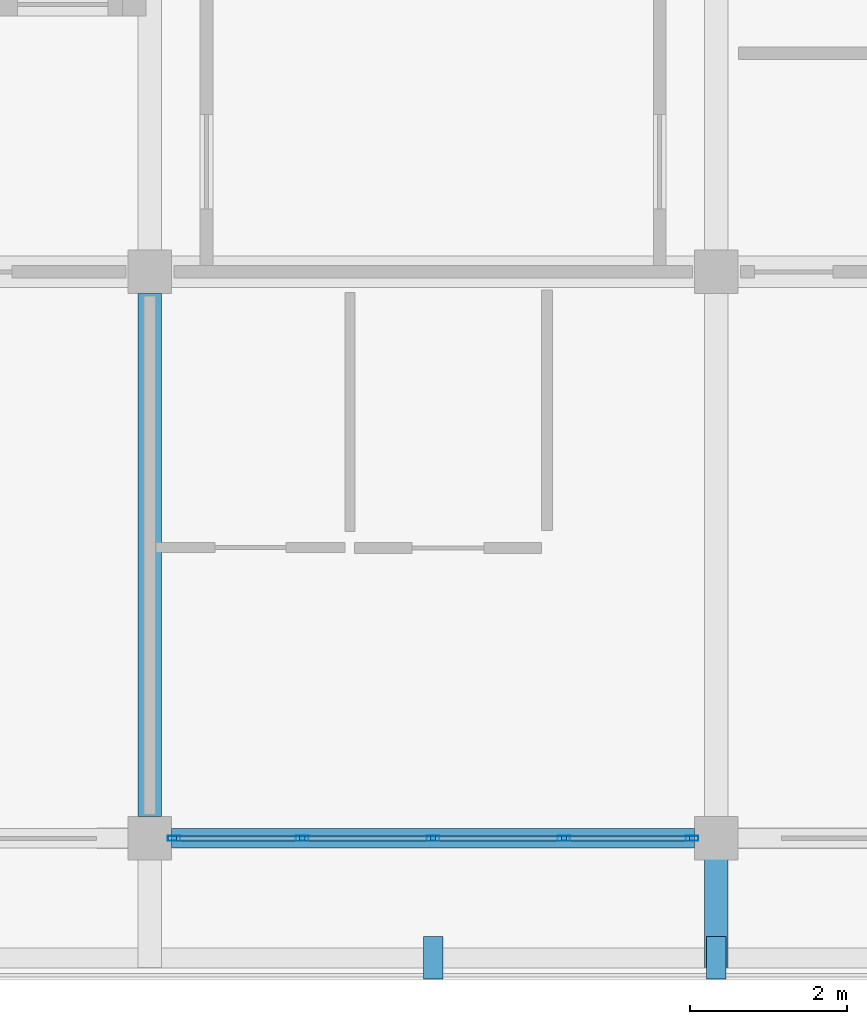
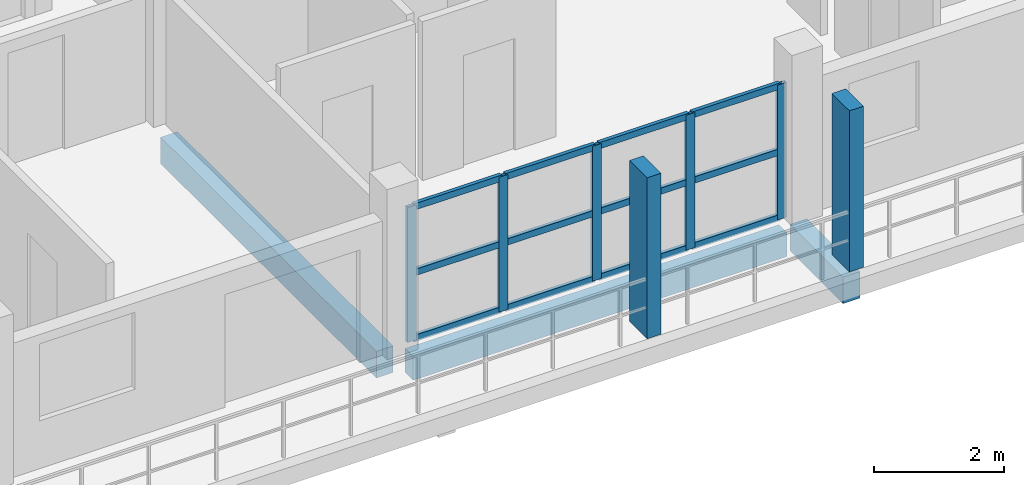
# One storey, part 19 of 67: 19 members, 3 beams, 1 element without a shape of its own.
"""IFC4 building model written with IfcOpenShell, lengths in metres."""

import ifcopenshell
import ifcopenshell.guid

model = None  # the IFC model being written
_history = None  # IfcOwnerHistory: only IFC2X3 demands one
_inside = {}  # id of a spatial element -> (the spatial element, [elements in it])
_under = {}  # id of a project, library or spatial element -> (it, [spatial elements below it])
_declared = {}  # id of a project -> (the project, [libraries it declares])
_typed = {}  # id of a type object -> (the type object, [elements of that type])
_made_of = {}  # id of a material, layer set ... -> (it, [elements and type objects made of it])


def new_model(schema):
    """Start an empty IFC model of exactly this schema.

    Asked for "IFC4X3", IfcOpenShell would pick the latest addendum, in which some entities
    have other attributes; the version numbers below select the first issue.
    IFC2X3 requires an IfcOwnerHistory on every rooted entity: one is made here for all.
    """
    global model, _history
    if schema == "IFC4X3":
        model = ifcopenshell.file(schema_version=(4, 3, 0, 0))
    else:
        model = ifcopenshell.file(schema=schema)
    _inside.clear()
    _under.clear()
    _declared.clear()
    _typed.clear()
    _made_of.clear()
    _history = None
    if model.schema == "IFC2X3":
        org = make("IfcOrganization", Name="unknown")
        user = make(
            "IfcPersonAndOrganization",
            ThePerson=make("IfcPerson", FamilyName="unknown"),
            TheOrganization=org,
        )
        app = make(
            "IfcApplication",
            ApplicationDeveloper=org,
            Version="unknown",
            ApplicationFullName="unknown",
            ApplicationIdentifier="unknown",
        )
        _history = make(
            "IfcOwnerHistory",
            OwningUser=user,
            OwningApplication=app,
            ChangeAction="ADDED",
            CreationDate=0,
        )
    return model


def make(cls, **values):
    """One entity of the class cls with the attributes given. An attribute that is None is left unset."""
    return model.create_entity(
        cls, **{name: value for name, value in values.items() if value is not None}
    )


def rooted(cls, **values):
    """An entity with a GlobalId (a new one), such as an element, a storey or a relation."""
    return make(cls, GlobalId=ifcopenshell.guid.new(), OwnerHistory=_history, **values)


def si_unit(unit_type, name, prefix=None):
    """IfcSIUnit, for example si_unit("LENGTHUNIT", "METRE", prefix="MILLI")."""
    return make("IfcSIUnit", UnitType=unit_type, Prefix=prefix, Name=name)


def assignment(units):
    """IfcUnitAssignment: the units of a project."""
    return None if units is None else make("IfcUnitAssignment", Units=units)


def point(xyz):
    """IfcCartesianPoint."""
    return None if xyz is None else make("IfcCartesianPoint", Coordinates=xyz)


def direction(xyz):
    """IfcDirection."""
    return None if xyz is None else make("IfcDirection", DirectionRatios=xyz)


def frame(location, z_axis=None, x_axis=None):
    """IfcAxis2Placement3D, a coordinate frame: its origin and axes. An axis left out is left unset."""
    return make(
        "IfcAxis2Placement3D",
        Location=point(location),
        Axis=direction(z_axis),
        RefDirection=direction(x_axis),
    )


def frame_2d(location, x_axis=None):
    """IfcAxis2Placement2D, a coordinate frame in the plane: its origin and x axis."""
    return make(
        "IfcAxis2Placement2D", Location=point(location), RefDirection=direction(x_axis)
    )


def origin():
    """The frame at (0, 0, 0) with its axes left unset."""
    return frame((0.0, 0.0, 0.0))


def origin_2d():
    """The frame at (0, 0) in the plane with its x axis left unset."""
    return frame_2d((0.0, 0.0))


def place(relative_to, where):
    """IfcLocalPlacement: puts the frame where relative to a parent placement (None: the world)."""
    return make(
        "IfcLocalPlacement", PlacementRelTo=relative_to, RelativePlacement=where
    )


def context(
    kind, dimensions, precision=None, world=None, true_north=None, identifier=None
):
    """IfcGeometricRepresentationContext, for example the 3D "Model" context."""
    return make(
        "IfcGeometricRepresentationContext",
        ContextIdentifier=identifier,
        ContextType=kind,
        CoordinateSpaceDimension=dimensions,
        Precision=precision,
        WorldCoordinateSystem=world,
        TrueNorth=true_north,
    )


def subcontext(parent, identifier, kind, view, scale=None):
    """IfcGeometricRepresentationSubContext, for example "Body" below "Model"."""
    return make(
        "IfcGeometricRepresentationSubContext",
        ContextIdentifier=identifier,
        ContextType=kind,
        ParentContext=parent,
        TargetScale=scale,
        TargetView=view,
    )


def project(units=None, contexts=None):
    """IfcProject with its units and contexts."""
    return rooted(
        "IfcProject",
        Name="project",
        RepresentationContexts=contexts,
        UnitsInContext=assignment(units),
    )


def spatial(cls, under=None, at=None, **own):
    """A site, building, storey or space (cls), placed at a placement, below another one or the project."""
    s = rooted(cls, ObjectPlacement=at, **own)
    if under is not None:
        _under.setdefault(under.id(), (under, []))[1].append(s)
    return s


def profile(cls, at=None, kind="AREA", **sizes):
    """A parametric profile (cls). Its sizes go by their IFC names, for example OverallWidth=200.0."""
    return make(cls, ProfileType=kind, Position=at, **sizes)


def rectangle(**sizes):
    """IfcRectangleProfileDef."""
    return profile("IfcRectangleProfileDef", **sizes)


def hollow_rectangle(**sizes):
    """IfcRectangleHollowProfileDef."""
    return profile("IfcRectangleHollowProfileDef", **sizes)


def extrude(swept, where, along, depth):
    """IfcExtrudedAreaSolid: the profile swept, set in the frame where, extruded along a direction by depth."""
    return make(
        "IfcExtrudedAreaSolid",
        SweptArea=swept,
        Position=where,
        ExtrudedDirection=direction(along),
        Depth=depth,
    )


def shape(context_of_items, identifier, shape_type, items):
    """IfcShapeRepresentation: the items that make up one representation, for example the "Body"."""
    return make(
        "IfcShapeRepresentation",
        ContextOfItems=context_of_items,
        RepresentationIdentifier=identifier,
        RepresentationType=shape_type,
        Items=items,
    )


def material(Name=None, Category=None):
    """IfcMaterial."""
    return make("IfcMaterial", Name=Name, Category=Category)


def material_profile(
    of_material, cross_section, Name=None, Category=None, Priority=None
):
    """IfcMaterialProfile: a cross section and its material."""
    return make(
        "IfcMaterialProfile",
        Name=Name,
        Material=of_material,
        Profile=cross_section,
        Priority=Priority,
        Category=Category,
    )


def profile_set(profiles, Name=None, composite=None):
    """IfcMaterialProfileSet."""
    return make(
        "IfcMaterialProfileSet",
        Name=Name,
        MaterialProfiles=profiles,
        CompositeProfile=composite,
    )


def made_of(thing, what):
    """Note that an element or type object is made of a material, layer set ...; save() writes the relation."""
    if what is not None:
        _made_of.setdefault(what.id(), (what, []))[1].append(thing)
    return thing


def type_object(cls, material=None, **own):
    """A type object (cls), such as IfcWallType, which elements share."""
    return made_of(rooted(cls, **own), material)


def element(
    cls,
    number,
    at=None,
    inside=None,
    cuts=None,
    type_object=None,
    material=None,
    context=None,
    identifier="Body",
    shape_type=None,
    held_by="IfcProductDefinitionShape",
    body=None,
    shapes=None,
    **own,
):
    """One element of the class cls, such as IfcWall. Its Tag is "e" and its number.

    at: its placement. inside: the storey or other place that contains it. cuts: it is an
    opening in that element (IfcRelVoidsElement). A single representation is given by context,
    identifier, shape_type and body (its items); several are given by shapes. held_by: the class
    of the entity that holds the representations. save() writes the other relations.
    """
    e = rooted(cls, Tag="e%d" % number, ObjectPlacement=at, **own)
    if body is not None:
        shapes = [shape(context, identifier, shape_type, body)]
    if shapes is not None:
        e.Representation = make(held_by, Representations=shapes)
    if inside is not None:
        _inside.setdefault(inside.id(), (inside, []))[1].append(e)
    if cuts is not None:
        rooted(
            "IfcRelVoidsElement", RelatingBuildingElement=cuts, RelatedOpeningElement=e
        )
    if type_object is not None:
        _typed.setdefault(type_object.id(), (type_object, []))[1].append(e)
    return made_of(e, material)


def aggregate(whole, parts):
    """IfcRelAggregates: a whole, such as a stair, and the parts it consists of."""
    return rooted("IfcRelAggregates", RelatingObject=whole, RelatedObjects=parts)


def save(model, path):
    """Write the relations noted so far, then the file.

    IfcRelAggregates (storeys below a building ...), IfcRelContainedInSpatialStructure (elements
    in a storey), IfcRelDefinesByType, IfcRelAssociatesMaterial and IfcRelDeclares: one each for
    every whole, place, type object, material and project.
    """
    for whole, parts in _under.values():
        aggregate(whole, parts)
    for where, things in _inside.values():
        rooted(
            "IfcRelContainedInSpatialStructure",
            RelatedElements=things,
            RelatingStructure=where,
        )
    for kind, things in _typed.values():
        rooted("IfcRelDefinesByType", RelatedObjects=things, RelatingType=kind)
    for what, things in _made_of.values():
        rooted("IfcRelAssociatesMaterial", RelatedObjects=things, RelatingMaterial=what)
    for by, libraries in _declared.values():
        rooted("IfcRelDeclares", RelatingContext=by, RelatedDefinitions=libraries)
    model.write(path)


model = new_model("IFC4")

# Units and contexts
model_context = context("Model", 3, precision=1e-05, world=origin(), true_north=direction((0.0, 1.0)))
body_context = subcontext(model_context, "Body", "Model", "MODEL_VIEW")
ifc_project = project(units=[si_unit("LENGTHUNIT", "METRE"), si_unit("AREAUNIT", "SQUARE_METRE"), si_unit("VOLUMEUNIT", "CUBIC_METRE"), si_unit("PLANEANGLEUNIT", "RADIAN"), si_unit("MASSUNIT", "GRAM", prefix="KILO")], contexts=[model_context])

# Site, building, storey
site_placement = place(None, origin())
site = spatial("IfcSite", under=ifc_project, at=site_placement, CompositionType="ELEMENT")
building_placement = place(site_placement, origin())
building = spatial("IfcBuilding", under=site, at=building_placement, Name="Suanplinth Sawtooth Commons", CompositionType="ELEMENT")
storey_placement = place(building_placement, frame((0.0, 0.0, 25.10009765625)))
storey = spatial("IfcBuildingStorey", under=building, at=storey_placement, Name="L07", CompositionType="ELEMENT", Elevation=25.10009765625)

# Beams
ifc_material_1 = material(Name="Precast concrete C40/50", Category="concrete")
ifc_material_profile_1 = material_profile(ifc_material_1, rectangle(XDim=0.300048828125, YDim=0.5, at=origin_2d()), Name="PC-BM 300x500")
ifc_profile_set_1 = profile_set([ifc_material_profile_1], Name="Precast concrete C40/50")
beam_type_1 = type_object("IfcBeamType", Name="B-07", PredefinedType="BEAM", material=ifc_profile_set_1)
beam_1_placement = place(storey_placement, frame((144.0, 0.27490234375, -0.47021484375), z_axis=(0.0, 1.0, 0.0), x_axis=(-1.0, 0.0, 0.0)))
element("IfcBeam", 1, at=beam_1_placement, inside=storey, type_object=beam_type_1, Name="BMY-L07-C-20-0", PredefinedType="BEAM", context=body_context, shape_type="SweptSolid", body=[
    extrude(rectangle(XDim=0.300048828125, YDim=0.5, at=origin_2d()), origin(), (0.0, 0.0, 1.0), 6.650146484375),
])
beam_2_placement = place(storey_placement, frame((151.199951171875, 0.0, -0.43017578125), z_axis=(0.0, -1.0, 0.0), x_axis=(1.0, 0.0, 0.0)))
element("IfcBeam", 2, at=beam_2_placement, inside=storey, type_object=beam_type_1, Name="Balcony Outrigger L07-C-S-21", PredefinedType="BEAM", context=body_context, shape_type="SweptSolid", body=[
    extrude(rectangle(XDim=0.300048828125, YDim=0.5, at=origin_2d()), origin(), (0.0, 0.0, 1.0), 1.639892578125),
])
ifc_material_profile_2 = material_profile(ifc_material_1, rectangle(XDim=0.25, YDim=0.449951171875, at=origin_2d()), Name="PC-SP 250x450")
ifc_profile_set_2 = profile_set([ifc_material_profile_2], Name="Precast concrete C40/50")
beam_type_2 = type_object("IfcBeamType", Name="B-09", PredefinedType="SPANDREL", material=ifc_profile_set_2)
beam_3_placement = place(storey_placement, frame((144.27490234375, 0.0, -0.445068359375), z_axis=(1.0, 0.0, 0.0), x_axis=(0.0, 1.0, 0.0)))
element("IfcBeam", 3, at=beam_3_placement, inside=storey, type_object=beam_type_2, Name="BMX-L07-C-20-0", PredefinedType="SPANDREL", context=body_context, shape_type="SweptSolid", body=[
    extrude(rectangle(XDim=0.25, YDim=0.449951171875, at=origin_2d()), origin(), (0.0, 0.0, 1.0), 6.650146484375),
])

# Members
ifc_material_2 = material(Name="Pigmented precast concrete C40/50", Category="concrete")
ifc_material_profile_3 = material_profile(ifc_material_2, rectangle(XDim=0.25, YDim=0.5400390625, at=origin_2d()), Name="PC-FIN 250x540")
ifc_profile_set_3 = profile_set([ifc_material_profile_3], Name="Pigmented precast concrete C40/50")
member_type_1 = type_object("IfcMemberType", Name="M-11", PredefinedType="USERDEFINED", material=ifc_profile_set_3)
for number, where, z_axis, x_axis, name in (
    (4, (147.60009765625, -1.52001953125, 0.0), (0.0, 0.0, 1.0), (1.0, 0.0, 0.0), "Upright Solar Blade L07-C-S-01"),
    (5, (151.199951171875, -1.52001953125, 0.0), (0.0, 0.0, 1.0), (1.0, 0.0, 0.0), "Upright Solar Blade L07-C-S-02"),
):
    element("IfcMember", number, at=place(storey_placement, frame(where, z_axis=z_axis, x_axis=x_axis)), inside=storey, type_object=member_type_1, Name=name, ObjectType="SHADING FIN", PredefinedType="USERDEFINED", context=body_context, shape_type="SweptSolid", body=[
        extrude(rectangle(XDim=0.25, YDim=0.5400390625, at=origin_2d()), origin(), (0.0, 0.0, 1.0), 3.02978515625),
    ])

# Curtain wall, members
ifc_material_3 = material(Name="Anodized aluminium and low-E glazing", Category="aluminium")
curtain_wall_type = type_object("IfcCurtainWallType", Name="CW-06", PredefinedType="USERDEFINED", material=ifc_material_3)
curtain_wall_placement = place(storey_placement, origin())
curtain_wall = element("IfcCurtainWall", 6, at=curtain_wall_placement, inside=storey, type_object=curtain_wall_type, Name="Curtain Wall CW-L07-C-LOUNGE-20", ObjectType="CURTAIN WALL", PredefinedType="USERDEFINED")
ifc_material_4 = material(Name="Anodized aluminium 6063-T6", Category="aluminium")
ifc_material_profile_4 = material_profile(ifc_material_4, hollow_rectangle(XDim=0.06494140625, YDim=0.159912109375, WallThickness=0.00390625, at=origin_2d()), Name="ALU-MUL 65x160")
ifc_profile_set_4 = profile_set([ifc_material_profile_4], Name="Anodized aluminium 6063-T6")
member_type_2 = type_object("IfcMemberType", Name="M-13", PredefinedType="MULLION", material=ifc_profile_set_4)
member_1_placement = place(storey_placement, frame((144.3076171875, 0.0, 0.0), z_axis=(0.0, 0.0, 1.0), x_axis=(0.0, 1.0, 0.0)))
member_1 = element("IfcMember", 7, at=member_1_placement, type_object=member_type_2, Name="CW-06 mullion 1", PredefinedType="MULLION", context=body_context, shape_type="SweptSolid", body=[
    extrude(hollow_rectangle(XDim=0.06494140625, YDim=0.159912109375, WallThickness=0.00390625, at=origin_2d()), origin(), (0.0, 0.0, 1.0), 2.539794921875),
])
member_2_placement = place(storey_placement, frame((145.9375, 0.0, 0.0), z_axis=(0.0, 0.0, 1.0), x_axis=(0.0, 1.0, 0.0)))
member_2 = element("IfcMember", 8, at=member_2_placement, type_object=member_type_2, Name="CW-06 mullion 2", PredefinedType="MULLION", context=body_context, shape_type="SweptSolid", body=[
    extrude(hollow_rectangle(XDim=0.06494140625, YDim=0.159912109375, WallThickness=0.00390625, at=origin_2d()), origin(), (0.0, 0.0, 1.0), 2.539794921875),
])
member_3_placement = place(storey_placement, frame((147.60009765625, 0.0, 0.0), z_axis=(0.0, 0.0, 1.0), x_axis=(0.0, 1.0, 0.0)))
member_3 = element("IfcMember", 9, at=member_3_placement, type_object=member_type_2, Name="CW-06 mullion 3", PredefinedType="MULLION", context=body_context, shape_type="SweptSolid", body=[
    extrude(hollow_rectangle(XDim=0.06494140625, YDim=0.159912109375, WallThickness=0.00390625, at=origin_2d()), origin(), (0.0, 0.0, 1.0), 2.539794921875),
])
member_4_placement = place(storey_placement, frame((149.262451171875, 0.0, 0.0), z_axis=(0.0, 0.0, 1.0), x_axis=(0.0, 1.0, 0.0)))
member_4 = element("IfcMember", 10, at=member_4_placement, type_object=member_type_2, Name="CW-06 mullion 4", PredefinedType="MULLION", context=body_context, shape_type="SweptSolid", body=[
    extrude(hollow_rectangle(XDim=0.06494140625, YDim=0.159912109375, WallThickness=0.00390625, at=origin_2d()), origin(), (0.0, 0.0, 1.0), 2.539794921875),
])
member_5_placement = place(storey_placement, frame((150.892578125, 0.0, 0.0), z_axis=(0.0, 0.0, 1.0), x_axis=(0.0, 1.0, 0.0)))
member_5 = element("IfcMember", 11, at=member_5_placement, type_object=member_type_2, Name="CW-06 mullion 5", PredefinedType="MULLION", context=body_context, shape_type="SweptSolid", body=[
    extrude(hollow_rectangle(XDim=0.06494140625, YDim=0.159912109375, WallThickness=0.00390625, at=origin_2d()), origin(), (0.0, 0.0, 1.0), 2.539794921875),
])
ifc_material_profile_5 = material_profile(ifc_material_4, hollow_rectangle(XDim=0.06494140625, YDim=0.1201171875, WallThickness=0.00390625, at=origin_2d()), Name="ALU-TRN 65x120")
ifc_profile_set_5 = profile_set([ifc_material_profile_5], Name="Anodized aluminium 6063-T6")
member_type_3 = type_object("IfcMemberType", Name="M-15", PredefinedType="USERDEFINED", material=ifc_profile_set_5)
member_6_placement = place(storey_placement, frame((144.340087890625, 0.0, 0.032470703125), z_axis=(1.0, 0.0, 0.0), x_axis=(0.0, 1.0, 0.0)))
member_6 = element("IfcMember", 12, at=member_6_placement, type_object=member_type_3, Name="CW-06 transom 1.1", ObjectType="TRANSOM", PredefinedType="USERDEFINED", context=body_context, shape_type="SweptSolid", body=[
    extrude(hollow_rectangle(XDim=0.06494140625, YDim=0.1201171875, WallThickness=0.00390625, at=origin_2d()), origin(), (0.0, 0.0, 1.0), 1.56494140625),
])
member_7_placement = place(storey_placement, frame((144.340087890625, 0.0, 1.27001953125), z_axis=(1.0, 0.0, 0.0), x_axis=(0.0, 1.0, 0.0)))
member_7 = element("IfcMember", 13, at=member_7_placement, type_object=member_type_3, Name="CW-06 transom 1.2", ObjectType="TRANSOM", PredefinedType="USERDEFINED", context=body_context, shape_type="SweptSolid", body=[
    extrude(hollow_rectangle(XDim=0.06494140625, YDim=0.1201171875, WallThickness=0.00390625, at=origin_2d()), origin(), (0.0, 0.0, 1.0), 1.56494140625),
])
member_8_placement = place(storey_placement, frame((144.340087890625, 0.0, 2.50732421875), z_axis=(1.0, 0.0, 0.0), x_axis=(0.0, 1.0, 0.0)))
member_8 = element("IfcMember", 14, at=member_8_placement, type_object=member_type_3, Name="CW-06 transom 1.3", ObjectType="TRANSOM", PredefinedType="USERDEFINED", context=body_context, shape_type="SweptSolid", body=[
    extrude(hollow_rectangle(XDim=0.06494140625, YDim=0.1201171875, WallThickness=0.00390625, at=origin_2d()), origin(), (0.0, 0.0, 1.0), 1.56494140625),
])
member_9_placement = place(storey_placement, frame((145.969970703125, 0.0, 0.032470703125), z_axis=(1.0, 0.0, 0.0), x_axis=(0.0, 1.0, 0.0)))
member_9 = element("IfcMember", 15, at=member_9_placement, type_object=member_type_3, Name="CW-06 transom 2.1", ObjectType="TRANSOM", PredefinedType="USERDEFINED", context=body_context, shape_type="SweptSolid", body=[
    extrude(hollow_rectangle(XDim=0.06494140625, YDim=0.1201171875, WallThickness=0.00390625, at=origin_2d()), origin(), (0.0, 0.0, 1.0), 1.597412109375),
])
member_10_placement = place(storey_placement, frame((145.969970703125, 0.0, 1.27001953125), z_axis=(1.0, 0.0, 0.0), x_axis=(0.0, 1.0, 0.0)))
member_10 = element("IfcMember", 16, at=member_10_placement, type_object=member_type_3, Name="CW-06 transom 2.2", ObjectType="TRANSOM", PredefinedType="USERDEFINED", context=body_context, shape_type="SweptSolid", body=[
    extrude(hollow_rectangle(XDim=0.06494140625, YDim=0.1201171875, WallThickness=0.00390625, at=origin_2d()), origin(), (0.0, 0.0, 1.0), 1.597412109375),
])
member_11_placement = place(storey_placement, frame((145.969970703125, 0.0, 2.50732421875), z_axis=(1.0, 0.0, 0.0), x_axis=(0.0, 1.0, 0.0)))
member_11 = element("IfcMember", 17, at=member_11_placement, type_object=member_type_3, Name="CW-06 transom 2.3", ObjectType="TRANSOM", PredefinedType="USERDEFINED", context=body_context, shape_type="SweptSolid", body=[
    extrude(hollow_rectangle(XDim=0.06494140625, YDim=0.1201171875, WallThickness=0.00390625, at=origin_2d()), origin(), (0.0, 0.0, 1.0), 1.597412109375),
])
member_12_placement = place(storey_placement, frame((147.632568359375, 0.0, 0.032470703125), z_axis=(1.0, 0.0, 0.0), x_axis=(0.0, 1.0, 0.0)))
member_12 = element("IfcMember", 18, at=member_12_placement, type_object=member_type_3, Name="CW-06 transom 3.1", ObjectType="TRANSOM", PredefinedType="USERDEFINED", context=body_context, shape_type="SweptSolid", body=[
    extrude(hollow_rectangle(XDim=0.06494140625, YDim=0.1201171875, WallThickness=0.00390625, at=origin_2d()), origin(), (0.0, 0.0, 1.0), 1.597412109375),
])
member_13_placement = place(storey_placement, frame((147.632568359375, 0.0, 1.27001953125), z_axis=(1.0, 0.0, 0.0), x_axis=(0.0, 1.0, 0.0)))
member_13 = element("IfcMember", 19, at=member_13_placement, type_object=member_type_3, Name="CW-06 transom 3.2", ObjectType="TRANSOM", PredefinedType="USERDEFINED", context=body_context, shape_type="SweptSolid", body=[
    extrude(hollow_rectangle(XDim=0.06494140625, YDim=0.1201171875, WallThickness=0.00390625, at=origin_2d()), origin(), (0.0, 0.0, 1.0), 1.597412109375),
])
member_14_placement = place(storey_placement, frame((147.632568359375, 0.0, 2.50732421875), z_axis=(1.0, 0.0, 0.0), x_axis=(0.0, 1.0, 0.0)))
member_14 = element("IfcMember", 20, at=member_14_placement, type_object=member_type_3, Name="CW-06 transom 3.3", ObjectType="TRANSOM", PredefinedType="USERDEFINED", context=body_context, shape_type="SweptSolid", body=[
    extrude(hollow_rectangle(XDim=0.06494140625, YDim=0.1201171875, WallThickness=0.00390625, at=origin_2d()), origin(), (0.0, 0.0, 1.0), 1.597412109375),
])
member_15_placement = place(storey_placement, frame((149.294921875, 0.0, 0.032470703125), z_axis=(1.0, 0.0, 0.0), x_axis=(0.0, 1.0, 0.0)))
member_15 = element("IfcMember", 21, at=member_15_placement, type_object=member_type_3, Name="CW-06 transom 4.1", ObjectType="TRANSOM", PredefinedType="USERDEFINED", context=body_context, shape_type="SweptSolid", body=[
    extrude(hollow_rectangle(XDim=0.06494140625, YDim=0.1201171875, WallThickness=0.00390625, at=origin_2d()), origin(), (0.0, 0.0, 1.0), 1.565185546875),
])
member_16_placement = place(storey_placement, frame((149.294921875, 0.0, 1.27001953125), z_axis=(1.0, 0.0, 0.0), x_axis=(0.0, 1.0, 0.0)))
member_16 = element("IfcMember", 22, at=member_16_placement, type_object=member_type_3, Name="CW-06 transom 4.2", ObjectType="TRANSOM", PredefinedType="USERDEFINED", context=body_context, shape_type="SweptSolid", body=[
    extrude(hollow_rectangle(XDim=0.06494140625, YDim=0.1201171875, WallThickness=0.00390625, at=origin_2d()), origin(), (0.0, 0.0, 1.0), 1.565185546875),
])
member_17_placement = place(storey_placement, frame((149.294921875, 0.0, 2.50732421875), z_axis=(1.0, 0.0, 0.0), x_axis=(0.0, 1.0, 0.0)))
member_17 = element("IfcMember", 23, at=member_17_placement, type_object=member_type_3, Name="CW-06 transom 4.3", ObjectType="TRANSOM", PredefinedType="USERDEFINED", context=body_context, shape_type="SweptSolid", body=[
    extrude(hollow_rectangle(XDim=0.06494140625, YDim=0.1201171875, WallThickness=0.00390625, at=origin_2d()), origin(), (0.0, 0.0, 1.0), 1.565185546875),
])
aggregate(curtain_wall, [member_1, member_2, member_3, member_4, member_5, member_6, member_7, member_8, member_9, member_10, member_11, member_12, member_13, member_14, member_15, member_16, member_17])

save(model, "model.ifc")
